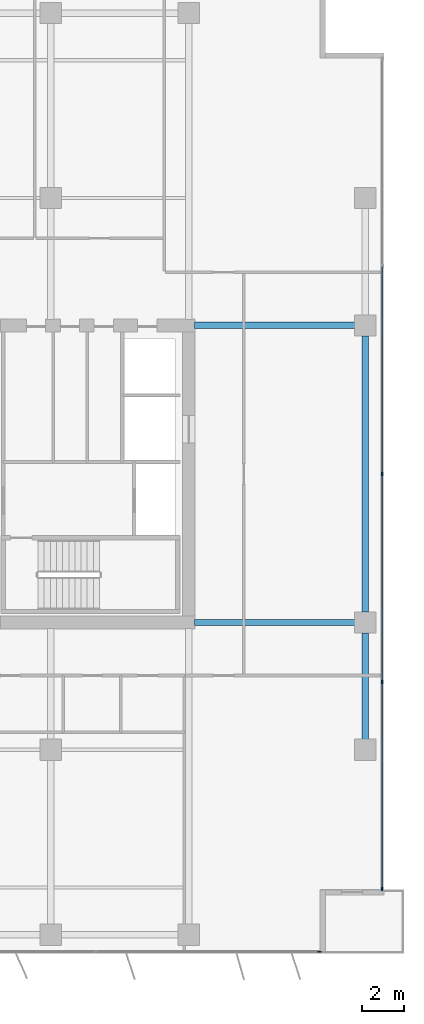
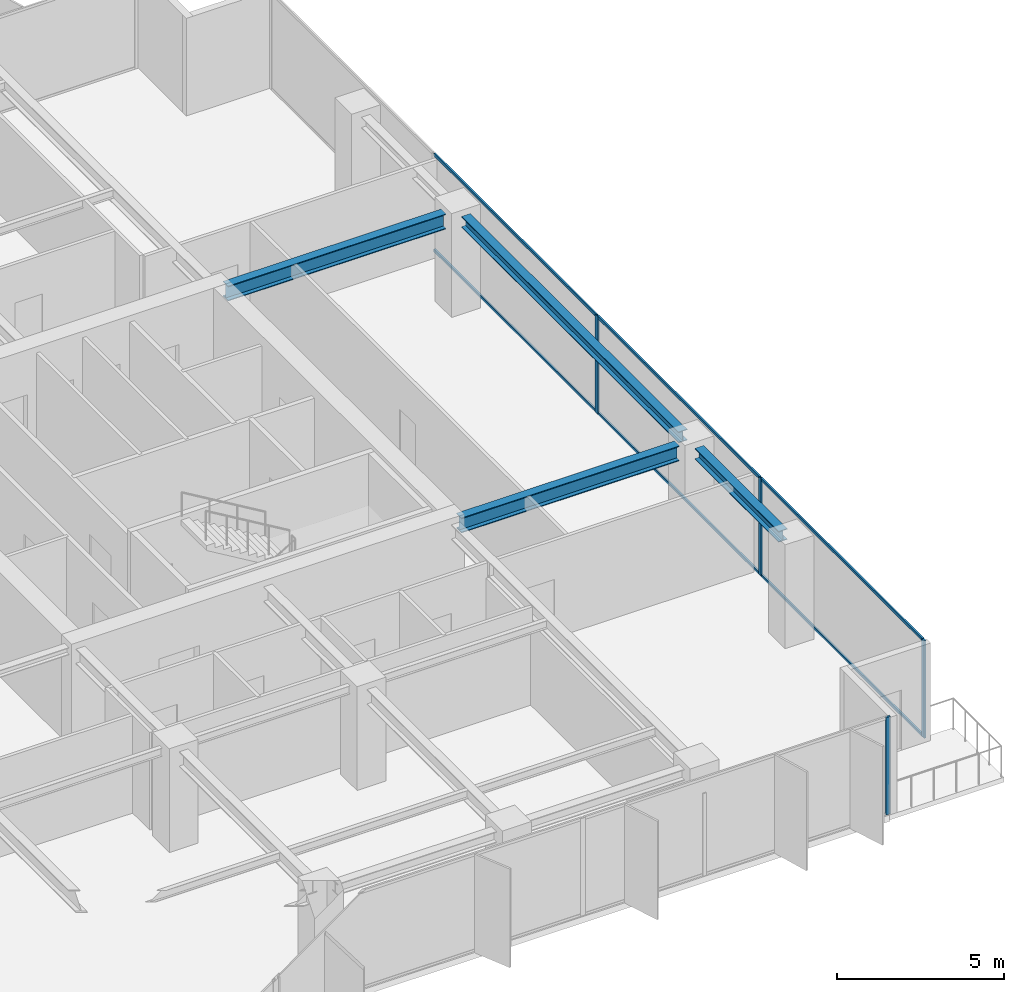
# One storey, part 12 of 22: 10 members, 4 beams, 2 elements without a shape of their own.
"""IFC4 building model written with IfcOpenShell, lengths in metres."""

from ifc_helpers import new_model, si_unit, direction, frame, origin, origin_2d, place, context, subcontext, project, spatial, rectangle, i_section, extrude, material, layer, layer_set, material_profile, profile_set, type_object, element, aggregate, save


model = new_model("IFC4")

# Units and contexts
model_context = context("Model", 3, precision=1e-05, world=origin(), true_north=direction((0.0, 1.0)))
body_context = subcontext(model_context, "Body", "Model", "MODEL_VIEW")
ifc_project = project(units=[si_unit("LENGTHUNIT", "METRE"), si_unit("AREAUNIT", "SQUARE_METRE"), si_unit("VOLUMEUNIT", "CUBIC_METRE"), si_unit("PLANEANGLEUNIT", "RADIAN"), si_unit("MASSUNIT", "GRAM", prefix="KILO")], contexts=[model_context])

# Site, building, storey
site_placement = place(None, origin())
site = spatial("IfcSite", under=ifc_project, at=site_placement, CompositionType="ELEMENT")
building_placement = place(site_placement, origin())
building = spatial("IfcBuilding", under=site, at=building_placement, Name="Putna Gate Headquarters", CompositionType="ELEMENT")
storey_placement = place(building_placement, frame((0.0, 0.0, 182.199951171875)))
storey = spatial("IfcBuildingStorey", under=building, at=storey_placement, Name="L45", CompositionType="ELEMENT", Elevation=182.199951171875)

# Beams
ifc_material_1 = material(Name="Steel S355J2", Category="steel")
ifc_material_profile_1 = material_profile(ifc_material_1, i_section(OverallWidth=0.300048828125, OverallDepth=0.550048828125, WebThickness=0.014892578125, FlangeThickness=0.029052734375, at=origin_2d()), Name="Steel S355J2")
ifc_profile_set_1 = profile_set([ifc_material_profile_1], Name="Steel S355J2")
beam_type_1 = type_object("IfcBeamType", Name="BM-GIRD-Z3-HEB550", PredefinedType="USERDEFINED", material=ifc_profile_set_1)
for number, where, z_axis, x_axis, name in (
    (1, (65.284912109375, 19.0, 3.297119140625), (1.0, 0.0, 0.0), (0.0, 1.0, 0.0), "L45 East Wing Girder Y19"),
    (2, (65.284912109375, 33.0, 3.297119140625), (1.0, 0.0, 0.0), (0.0, 1.0, 0.0), "L45 East Wing Girder Y33"),
):
    element("IfcBeam", number, at=place(storey_placement, frame(where, z_axis=z_axis, x_axis=x_axis)), inside=storey, type_object=beam_type_1, Name=name, ObjectType="GIRDER", PredefinedType="USERDEFINED", context=body_context, shape_type="SweptSolid", body=[
        extrude(i_section(OverallWidth=0.300048828125, OverallDepth=0.550048828125, WebThickness=0.014892578125, FlangeThickness=0.029052734375, at=origin_2d()), origin(), (0.0, 0.0, 1.0), 7.547119140625),
    ])
ifc_material_profile_2 = material_profile(ifc_material_1, i_section(OverallWidth=0.300048828125, OverallDepth=0.39990234375, WebThickness=0.013427734375, FlangeThickness=0.02392578125, at=origin_2d()), Name="Steel S355J2")
ifc_profile_set_2 = profile_set([ifc_material_profile_2], Name="Steel S355J2")
beam_type_2 = type_object("IfcBeamType", Name="BM-SPAN-Z3-HEB400", PredefinedType="SPANDREL", material=ifc_profile_set_2)
beam_1_placement = place(storey_placement, frame((73.320068359375, 13.488037109375, 3.3720703125), z_axis=(0.0, 1.0, 0.0), x_axis=(-1.0, 0.0, 0.0)))
element("IfcBeam", 3, at=beam_1_placement, inside=storey, type_object=beam_type_2, Name="L45 E End Spandrel 1", PredefinedType="SPANDREL", context=body_context, shape_type="SweptSolid", body=[
    extrude(i_section(OverallWidth=0.300048828125, OverallDepth=0.39990234375, WebThickness=0.013427734375, FlangeThickness=0.02392578125, at=origin_2d()), origin(), (0.0, 0.0, 1.0), 5.02392578125),
])
beam_2_placement = place(storey_placement, frame((73.320068359375, 19.488037109375, 3.3720703125), z_axis=(0.0, 1.0, 0.0), x_axis=(-1.0, 0.0, 0.0)))
element("IfcBeam", 4, at=beam_2_placement, inside=storey, type_object=beam_type_2, Name="L45 E End Spandrel 2", PredefinedType="SPANDREL", context=body_context, shape_type="SweptSolid", body=[
    extrude(i_section(OverallWidth=0.300048828125, OverallDepth=0.39990234375, WebThickness=0.013427734375, FlangeThickness=0.02392578125, at=origin_2d()), origin(), (0.0, 0.0, 1.0), 13.02392578125),
])

# Curtain wall, member
ifc_material_2 = material(Name="Anodised bronze aluminium curtain wall", Category="aluminium")
ifc_layer = layer(ifc_material_2, 0.159912109375)
ifc_layer_set = layer_set([ifc_layer], Name="Anodised bronze aluminium curtain wall")
curtain_wall_type = type_object("IfcCurtainWallType", Name="CW-SYS-Z3", PredefinedType="USERDEFINED", material=ifc_layer_set)
curtain_wall_1_placement = place(storey_placement, origin())
curtain_wall_1 = element("IfcCurtainWall", 5, at=curtain_wall_1_placement, inside=storey, type_object=curtain_wall_type, Name="L45 South East Curtain Wall", ObjectType="STICK CURTAIN WALL", PredefinedType="USERDEFINED")
ifc_material_3 = material(Name="Anodised bronze aluminium EN AW-6060", Category="aluminium")
ifc_material_profile_3 = material_profile(ifc_material_3, rectangle(XDim=0.06494140625, YDim=0.159912109375, at=origin_2d()), Name="Anodised bronze aluminium EN AW-6060")
ifc_profile_set_3 = profile_set([ifc_material_profile_3], Name="Anodised bronze aluminium EN AW-6060")
member_type_1 = type_object("IfcMemberType", Name="MULL-CWM-3", PredefinedType="MULLION", material=ifc_profile_set_3)
member_1_placement = place(storey_placement, frame((71.16748046875, 3.47998046875, 0.0), z_axis=(0.0, 0.0, 1.0), x_axis=(0.0, 1.0, 0.0)))
member_1 = element("IfcMember", 6, at=member_1_placement, type_object=member_type_1, Name="CWS-3 mullion 3", PredefinedType="MULLION", context=body_context, shape_type="SweptSolid", body=[
    extrude(rectangle(XDim=0.06494140625, YDim=0.159912109375, at=origin_2d()), origin(), (0.0, 0.0, 1.0), 3.572021484375),
])
aggregate(curtain_wall_1, [member_1])

# Curtain wall, members
curtain_wall_2_placement = place(storey_placement, origin())
curtain_wall_2 = element("IfcCurtainWall", 7, at=curtain_wall_2_placement, inside=storey, type_object=curtain_wall_type, Name="L45 East Curtain Wall", ObjectType="STICK CURTAIN WALL", PredefinedType="USERDEFINED")
member_2_placement = place(storey_placement, frame((74.1201171875, 6.4326171875, 0.0), z_axis=(0.0, 0.0, 1.0), x_axis=(-1.0, 0.0, 0.0)))
member_2 = element("IfcMember", 8, at=member_2_placement, type_object=member_type_1, Name="CWS-3 mullion 1", PredefinedType="MULLION", context=body_context, shape_type="SweptSolid", body=[
    extrude(rectangle(XDim=0.06494140625, YDim=0.159912109375, at=origin_2d()), origin(), (0.0, 0.0, 1.0), 3.572021484375),
])
member_3_placement = place(storey_placement, frame((74.1201171875, 16.199951171875, 0.0), z_axis=(0.0, 0.0, 1.0), x_axis=(-1.0, 0.0, 0.0)))
member_3 = element("IfcMember", 9, at=member_3_placement, type_object=member_type_1, Name="CWS-3 mullion 2", PredefinedType="MULLION", context=body_context, shape_type="SweptSolid", body=[
    extrude(rectangle(XDim=0.06494140625, YDim=0.159912109375, at=origin_2d()), origin(), (0.0, 0.0, 1.0), 3.572021484375),
])
member_4_placement = place(storey_placement, frame((74.1201171875, 26.0, 0.0), z_axis=(0.0, 0.0, 1.0), x_axis=(-1.0, 0.0, 0.0)))
member_4 = element("IfcMember", 10, at=member_4_placement, type_object=member_type_1, Name="CWS-3 mullion 3", PredefinedType="MULLION", context=body_context, shape_type="SweptSolid", body=[
    extrude(rectangle(XDim=0.06494140625, YDim=0.159912109375, at=origin_2d()), origin(), (0.0, 0.0, 1.0), 3.572021484375),
])
ifc_material_profile_4 = material_profile(ifc_material_3, rectangle(XDim=0.06005859375, YDim=0.10009765625, at=origin_2d()), Name="Anodised bronze aluminium EN AW-6060")
ifc_profile_set_4 = profile_set([ifc_material_profile_4], Name="Anodised bronze aluminium EN AW-6060")
member_type_2 = type_object("IfcMemberType", Name="TRAN-CWT-3", PredefinedType="USERDEFINED", material=ifc_profile_set_4)
member_5_placement = place(storey_placement, frame((74.1201171875, 6.465087890625, 0.030029296875), z_axis=(0.0, 1.0, 0.0), x_axis=(-1.0, 0.0, 0.0)))
member_5 = element("IfcMember", 11, at=member_5_placement, type_object=member_type_2, Name="CWS-3 transom 1.1", ObjectType="TRANSOM", PredefinedType="USERDEFINED", context=body_context, shape_type="SweptSolid", body=[
    extrude(rectangle(XDim=0.06005859375, YDim=0.10009765625, at=origin_2d()), origin(), (0.0, 0.0, 1.0), 9.702392578125),
])
member_6_placement = place(storey_placement, frame((74.1201171875, 6.465087890625, 3.5419921875), z_axis=(0.0, 1.0, 0.0), x_axis=(-1.0, 0.0, 0.0)))
member_6 = element("IfcMember", 12, at=member_6_placement, type_object=member_type_2, Name="CWS-3 transom 1.2", ObjectType="TRANSOM", PredefinedType="USERDEFINED", context=body_context, shape_type="SweptSolid", body=[
    extrude(rectangle(XDim=0.06005859375, YDim=0.10009765625, at=origin_2d()), origin(), (0.0, 0.0, 1.0), 9.702392578125),
])
member_7_placement = place(storey_placement, frame((74.1201171875, 16.232421875, 0.030029296875), z_axis=(0.0, 1.0, 0.0), x_axis=(-1.0, 0.0, 0.0)))
member_7 = element("IfcMember", 13, at=member_7_placement, type_object=member_type_2, Name="CWS-3 transom 2.1", ObjectType="TRANSOM", PredefinedType="USERDEFINED", context=body_context, shape_type="SweptSolid", body=[
    extrude(rectangle(XDim=0.06005859375, YDim=0.10009765625, at=origin_2d()), origin(), (0.0, 0.0, 1.0), 9.735107421875),
])
member_8_placement = place(storey_placement, frame((74.1201171875, 16.232421875, 3.5419921875), z_axis=(0.0, 1.0, 0.0), x_axis=(-1.0, 0.0, 0.0)))
member_8 = element("IfcMember", 14, at=member_8_placement, type_object=member_type_2, Name="CWS-3 transom 2.2", ObjectType="TRANSOM", PredefinedType="USERDEFINED", context=body_context, shape_type="SweptSolid", body=[
    extrude(rectangle(XDim=0.06005859375, YDim=0.10009765625, at=origin_2d()), origin(), (0.0, 0.0, 1.0), 9.735107421875),
])
member_9_placement = place(storey_placement, frame((74.1201171875, 26.032470703125, 0.030029296875), z_axis=(0.0, 1.0, 0.0), x_axis=(-1.0, 0.0, 0.0)))
member_9 = element("IfcMember", 15, at=member_9_placement, type_object=member_type_2, Name="CWS-3 transom 3.1", ObjectType="TRANSOM", PredefinedType="USERDEFINED", context=body_context, shape_type="SweptSolid", body=[
    extrude(rectangle(XDim=0.06005859375, YDim=0.10009765625, at=origin_2d()), origin(), (0.0, 0.0, 1.0), 9.735107421875),
])
member_10_placement = place(storey_placement, frame((74.1201171875, 26.032470703125, 3.5419921875), z_axis=(0.0, 1.0, 0.0), x_axis=(-1.0, 0.0, 0.0)))
member_10 = element("IfcMember", 16, at=member_10_placement, type_object=member_type_2, Name="CWS-3 transom 3.2", ObjectType="TRANSOM", PredefinedType="USERDEFINED", context=body_context, shape_type="SweptSolid", body=[
    extrude(rectangle(XDim=0.06005859375, YDim=0.10009765625, at=origin_2d()), origin(), (0.0, 0.0, 1.0), 9.735107421875),
])
aggregate(curtain_wall_2, [member_2, member_3, member_4, member_5, member_6, member_7, member_8, member_9, member_10])

save(model, "model.ifc")
